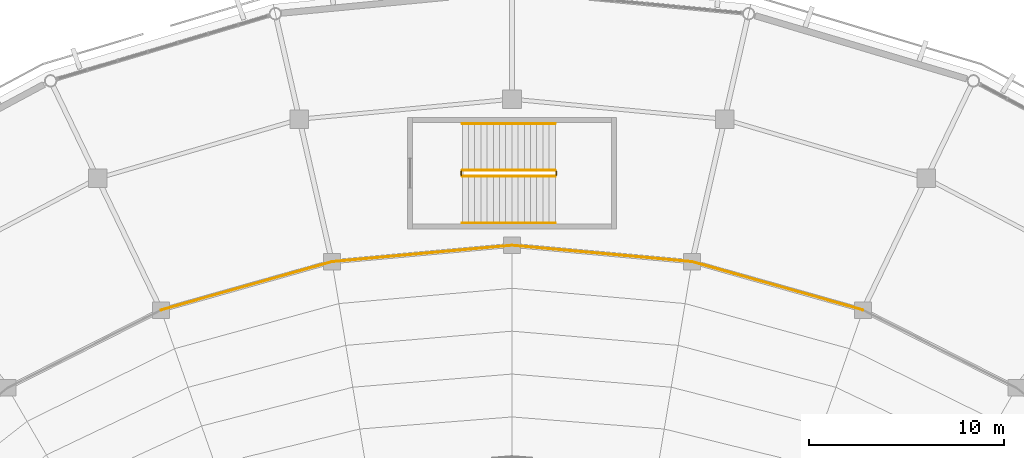
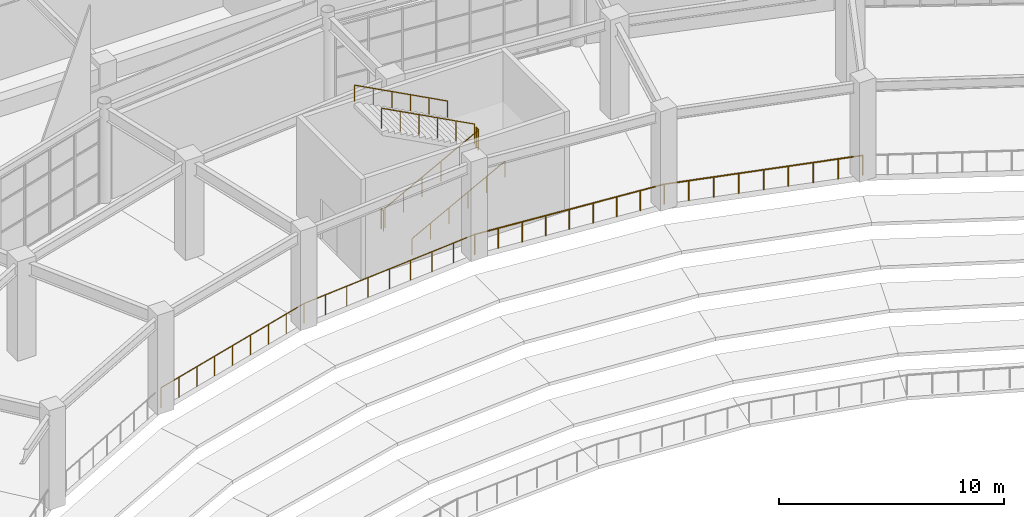
# One storey, part 109 of 120: 10 railings.
"""IFC4 building model written with IfcOpenShell, lengths in metres."""

from ifc_helpers import new_model, si_unit, direction, frame, origin, origin_2d, place, context, subcontext, project, spatial, circle, extrude, material, type_object, element, save


model = new_model("IFC4")

# Units and contexts
model_context = context("Model", 3, precision=1e-05, world=origin(), true_north=direction((0.0, 1.0)))
body_context = subcontext(model_context, "Body", "Model", "MODEL_VIEW")
ifc_project = project(units=[si_unit("LENGTHUNIT", "METRE"), si_unit("AREAUNIT", "SQUARE_METRE"), si_unit("VOLUMEUNIT", "CUBIC_METRE"), si_unit("PLANEANGLEUNIT", "RADIAN"), si_unit("MASSUNIT", "GRAM", prefix="KILO")], contexts=[model_context])

# Site, building, storey
site_placement = place(None, origin())
site = spatial("IfcSite", under=ifc_project, at=site_placement, CompositionType="ELEMENT")
building_placement = place(site_placement, origin())
building = spatial("IfcBuilding", under=site, at=building_placement, Name="Cuetzalor Civic Arena", CompositionType="ELEMENT")
storey_placement = place(building_placement, frame((0.0, 0.0, 6.0)))
storey = spatial("IfcBuildingStorey", under=building, at=storey_placement, Name="L01", CompositionType="ELEMENT", Elevation=6.0)

# Railings
ifc_material_1 = material(Name="Reseda-green Steel S355 and laminated glass guard", Category="steel")
railing_type_1 = type_object("IfcRailingType", Name="BowlSightlineGuard_1100", PredefinedType="BALUSTRADE", material=ifc_material_1)
railing_1_placement = place(storey_placement, frame((18.006103515625, 30.1826171875, 0.0)))
element("IfcRailing", 1, at=railing_1_placement, inside=storey, type_object=railing_type_1, Name="Lower Bowl Concourse Rim Balustrade S06", PredefinedType="BALUSTRADE", context=body_context, shape_type="SweptSolid", body=[
    extrude(circle(Radius=0.02392578125, at=origin_2d()), frame((0.0, 0.0, 1.076171875), z_axis=(-0.962348405043, 0.271818960543, 0.0), x_axis=(-0.271818960543, -0.962348405043, 0.0)), (0.0, 0.0, 1.0), 9.11474609375),
    extrude(circle(Radius=0.02099609375, at=origin_2d()), origin(), (0.0, 0.0, 1.0), 1.052001953125),
    extrude(circle(Radius=0.02099609375, at=origin_2d()), frame((-1.096435546875, 0.3095703125, 0.0)), (0.0, 0.0, 1.0), 1.052001953125),
    extrude(circle(Radius=0.02099609375, at=origin_2d()), frame((-2.19287109375, 0.619384765625, 0.0)), (0.0, 0.0, 1.0), 1.052001953125),
    extrude(circle(Radius=0.02099609375, at=origin_2d()), frame((-3.289306640625, 0.92919921875, 0.0)), (0.0, 0.0, 1.0), 1.052001953125),
    extrude(circle(Radius=0.02099609375, at=origin_2d()), frame((-4.3857421875, 1.23876953125, 0.0)), (0.0, 0.0, 1.0), 1.052001953125),
    extrude(circle(Radius=0.02099609375, at=origin_2d()), frame((-5.482177734375, 1.54833984375, 0.0)), (0.0, 0.0, 1.0), 1.052001953125),
    extrude(circle(Radius=0.02099609375, at=origin_2d()), frame((-6.57861328125, 1.858154296875, 0.0)), (0.0, 0.0, 1.0), 1.052001953125),
    extrude(circle(Radius=0.02099609375, at=origin_2d()), frame((-7.675048828125, 2.16796875, 0.0)), (0.0, 0.0, 1.0), 1.052001953125),
    extrude(circle(Radius=0.02099609375, at=origin_2d()), frame((-8.771484375, 2.4775390625, 0.0)), (0.0, 0.0, 1.0), 1.052001953125),
])
railing_2_placement = place(storey_placement, frame((9.234619140625, 32.66015625, 0.0)))
element("IfcRailing", 2, at=railing_2_placement, inside=storey, type_object=railing_type_1, Name="Lower Bowl Concourse Rim Balustrade S07", PredefinedType="BALUSTRADE", context=body_context, shape_type="SweptSolid", body=[
    extrude(circle(Radius=0.02392578125, at=origin_2d()), frame((0.0, 0.0, 1.076171875), z_axis=(-0.995889968673, 0.090571354719, 0.0), x_axis=(-0.090571354719, -0.995889968673, 0.0)), (0.0, 0.0, 1.0), 9.272705078125),
    extrude(circle(Radius=0.02099609375, at=origin_2d()), origin(), (0.0, 0.0, 1.0), 1.052001953125),
    extrude(circle(Radius=0.02099609375, at=origin_2d()), frame((-1.154296875, 0.10498046875, 0.0)), (0.0, 0.0, 1.0), 1.052001953125),
    extrude(circle(Radius=0.02099609375, at=origin_2d()), frame((-2.30859375, 0.2099609375, 0.0)), (0.0, 0.0, 1.0), 1.052001953125),
    extrude(circle(Radius=0.02099609375, at=origin_2d()), frame((-3.462890625, 0.31494140625, 0.0)), (0.0, 0.0, 1.0), 1.052001953125),
    extrude(circle(Radius=0.02099609375, at=origin_2d()), frame((-4.6171875, 0.419921875, 0.0)), (0.0, 0.0, 1.0), 1.052001953125),
    extrude(circle(Radius=0.02099609375, at=origin_2d()), frame((-5.771728515625, 0.52490234375, 0.0)), (0.0, 0.0, 1.0), 1.052001953125),
    extrude(circle(Radius=0.02099609375, at=origin_2d()), frame((-6.926025390625, 0.6298828125, 0.0)), (0.0, 0.0, 1.0), 1.052001953125),
    extrude(circle(Radius=0.02099609375, at=origin_2d()), frame((-8.080322265625, 0.73486328125, 0.0)), (0.0, 0.0, 1.0), 1.052001953125),
    extrude(circle(Radius=0.02099609375, at=origin_2d()), frame((-9.234619140625, 0.83984375, 0.0)), (0.0, 0.0, 1.0), 1.052001953125),
])
railing_3_placement = place(storey_placement, frame((0.0, 33.5, 0.0)))
element("IfcRailing", 3, at=railing_3_placement, inside=storey, type_object=railing_type_1, Name="Lower Bowl Concourse Rim Balustrade S08", PredefinedType="BALUSTRADE", context=body_context, shape_type="SweptSolid", body=[
    extrude(circle(Radius=0.02392578125, at=origin_2d()), frame((0.0, 0.0, 1.076171875), z_axis=(-0.995889968673, -0.090571354719, 0.0), x_axis=(0.090571354719, -0.995889968673, 0.0)), (0.0, 0.0, 1.0), 9.272705078125),
    extrude(circle(Radius=0.02099609375, at=origin_2d()), origin(), (0.0, 0.0, 1.0), 1.052001953125),
    extrude(circle(Radius=0.02099609375, at=origin_2d()), frame((-1.154296875, -0.10498046875, 0.0)), (0.0, 0.0, 1.0), 1.052001953125),
    extrude(circle(Radius=0.02099609375, at=origin_2d()), frame((-2.30859375, -0.2099609375, 0.0)), (0.0, 0.0, 1.0), 1.052001953125),
    extrude(circle(Radius=0.02099609375, at=origin_2d()), frame((-3.462890625, -0.31494140625, 0.0)), (0.0, 0.0, 1.0), 1.052001953125),
    extrude(circle(Radius=0.02099609375, at=origin_2d()), frame((-4.6171875, -0.419921875, 0.0)), (0.0, 0.0, 1.0), 1.052001953125),
    extrude(circle(Radius=0.02099609375, at=origin_2d()), frame((-5.771728515625, -0.52490234375, 0.0)), (0.0, 0.0, 1.0), 1.052001953125),
    extrude(circle(Radius=0.02099609375, at=origin_2d()), frame((-6.926025390625, -0.6298828125, 0.0)), (0.0, 0.0, 1.0), 1.052001953125),
    extrude(circle(Radius=0.02099609375, at=origin_2d()), frame((-8.080322265625, -0.73486328125, 0.0)), (0.0, 0.0, 1.0), 1.052001953125),
    extrude(circle(Radius=0.02099609375, at=origin_2d()), frame((-9.234619140625, -0.83984375, 0.0)), (0.0, 0.0, 1.0), 1.052001953125),
])
railing_4_placement = place(storey_placement, frame((-9.234619140625, 32.66015625, 0.0)))
element("IfcRailing", 4, at=railing_4_placement, inside=storey, type_object=railing_type_1, Name="Lower Bowl Concourse Rim Balustrade S09", PredefinedType="BALUSTRADE", context=body_context, shape_type="SweptSolid", body=[
    extrude(circle(Radius=0.02392578125, at=origin_2d()), frame((0.0, 0.0, 1.076171875), z_axis=(-0.962348405043, -0.271818960543, 0.0), x_axis=(0.271818960543, -0.962348405043, 0.0)), (0.0, 0.0, 1.0), 9.11474609375),
    extrude(circle(Radius=0.02099609375, at=origin_2d()), origin(), (0.0, 0.0, 1.0), 1.052001953125),
    extrude(circle(Radius=0.02099609375, at=origin_2d()), frame((-1.096435546875, -0.3095703125, 0.0)), (0.0, 0.0, 1.0), 1.052001953125),
    extrude(circle(Radius=0.02099609375, at=origin_2d()), frame((-2.19287109375, -0.619384765625, 0.0)), (0.0, 0.0, 1.0), 1.052001953125),
    extrude(circle(Radius=0.02099609375, at=origin_2d()), frame((-3.289306640625, -0.92919921875, 0.0)), (0.0, 0.0, 1.0), 1.052001953125),
    extrude(circle(Radius=0.02099609375, at=origin_2d()), frame((-4.3857421875, -1.23876953125, 0.0)), (0.0, 0.0, 1.0), 1.052001953125),
    extrude(circle(Radius=0.02099609375, at=origin_2d()), frame((-5.482177734375, -1.54833984375, 0.0)), (0.0, 0.0, 1.0), 1.052001953125),
    extrude(circle(Radius=0.02099609375, at=origin_2d()), frame((-6.57861328125, -1.858154296875, 0.0)), (0.0, 0.0, 1.0), 1.052001953125),
    extrude(circle(Radius=0.02099609375, at=origin_2d()), frame((-7.675048828125, -2.16796875, 0.0)), (0.0, 0.0, 1.0), 1.052001953125),
    extrude(circle(Radius=0.02099609375, at=origin_2d()), frame((-8.771484375, -2.4775390625, 0.0)), (0.0, 0.0, 1.0), 1.052001953125),
])
ifc_material_2 = material(Name="Reseda-green architectural Steel S355 balustrade", Category="steel")
railing_type_2 = type_object("IfcRailingType", Name="InteriorVoidBalustrade_1100", PredefinedType="BALUSTRADE", material=ifc_material_2)
railing_5_placement = place(storey_placement, frame((-2.550048828125, 37.050048828125, 0.168701171875)))
element("IfcRailing", 5, at=railing_5_placement, inside=storey, type_object=railing_type_2, Name="L01 ST-03 stair guard 1", PredefinedType="BALUSTRADE", context=body_context, shape_type="SweptSolid", body=[
    extrude(circle(Radius=0.02392578125, at=origin_2d()), frame((0.0, 0.0, 1.0810546875), z_axis=(0.883332211103, 0.0, 0.468747485143), x_axis=(0.0, 1.0, 0.0)), (0.0, 0.0, 1.0), 5.400146484375),
    extrude(circle(Radius=0.02099609375, at=origin_2d()), origin(), (0.0, 0.0, 1.0), 1.056884765625),
    extrude(circle(Radius=0.02099609375, at=origin_2d()), frame((0.9541015625, 0.0, 0.50634765625)), (0.0, 0.0, 1.0), 1.056884765625),
    extrude(circle(Radius=0.02099609375, at=origin_2d()), frame((1.907958984375, 0.0, 1.012451171875)), (0.0, 0.0, 1.0), 1.056884765625),
    extrude(circle(Radius=0.02099609375, at=origin_2d()), frame((2.862060546875, 0.0, 1.518798828125)), (0.0, 0.0, 1.0), 1.056884765625),
    extrude(circle(Radius=0.02099609375, at=origin_2d()), frame((3.81591796875, 0.0, 2.02490234375)), (0.0, 0.0, 1.0), 1.056884765625),
    extrude(circle(Radius=0.02099609375, at=origin_2d()), frame((4.77001953125, 0.0, 2.53125)), (0.0, 0.0, 1.0), 1.056884765625),
])
railing_6_placement = place(storey_placement, frame((2.27001953125, 37.10009765625, 2.699951171875)))
element("IfcRailing", 6, at=railing_6_placement, inside=storey, type_object=railing_type_2, Name="L01 ST-03 stair guard 2", PredefinedType="BALUSTRADE", context=body_context, shape_type="SweptSolid", body=[
    extrude(circle(Radius=0.02392578125, at=origin_2d()), frame((0.0, 0.0, 1.0810546875), z_axis=(0.0, 1.0, 0.0), x_axis=(-1.0, 0.0, 0.0)), (0.0, 0.0, 1.0), 0.199951171875),
    extrude(circle(Radius=0.02099609375, at=origin_2d()), origin(), (0.0, 0.0, 1.0), 1.056884765625),
    extrude(circle(Radius=0.02099609375, at=origin_2d()), frame((0.0, 0.199951171875, 0.0)), (0.0, 0.0, 1.0), 1.056884765625),
])
railing_7_placement = place(storey_placement, frame((2.219970703125, 37.35009765625, 2.86865234375)))
element("IfcRailing", 7, at=railing_7_placement, inside=storey, type_object=railing_type_2, Name="L01 ST-03 stair guard 3", PredefinedType="BALUSTRADE", context=body_context, shape_type="SweptSolid", body=[
    extrude(circle(Radius=0.02392578125, at=origin_2d()), frame((0.0, 0.0, 1.0810546875), z_axis=(-0.883332211103, 0.0, 0.468747485143), x_axis=(0.0, -1.0, 0.0)), (0.0, 0.0, 1.0), 5.400146484375),
    extrude(circle(Radius=0.02099609375, at=origin_2d()), origin(), (0.0, 0.0, 1.0), 1.056884765625),
    extrude(circle(Radius=0.02099609375, at=origin_2d()), frame((-0.9541015625, 0.0, 0.50634765625)), (0.0, 0.0, 1.0), 1.056884765625),
    extrude(circle(Radius=0.02099609375, at=origin_2d()), frame((-1.907958984375, 0.0, 1.012451171875)), (0.0, 0.0, 1.0), 1.056884765625),
    extrude(circle(Radius=0.02099609375, at=origin_2d()), frame((-2.862060546875, 0.0, 1.518798828125)), (0.0, 0.0, 1.0), 1.056884765625),
    extrude(circle(Radius=0.02099609375, at=origin_2d()), frame((-3.81591796875, 0.0, 2.02490234375)), (0.0, 0.0, 1.0), 1.056884765625),
    extrude(circle(Radius=0.02099609375, at=origin_2d()), frame((-4.77001953125, 0.0, 2.53125)), (0.0, 0.0, 1.0), 1.056884765625),
])
railing_8_placement = place(storey_placement, frame((-2.60009765625, 37.10009765625, 0.0)))
element("IfcRailing", 8, at=railing_8_placement, inside=storey, type_object=railing_type_2, Name="L01 ST-03 stair guard 4", PredefinedType="BALUSTRADE", context=body_context, shape_type="SweptSolid", body=[
    extrude(circle(Radius=0.02392578125, at=origin_2d()), frame((0.0, 0.0, 1.0810546875), z_axis=(0.0, 1.0, 0.0), x_axis=(-1.0, 0.0, 0.0)), (0.0, 0.0, 1.0), 0.199951171875),
    extrude(circle(Radius=0.02099609375, at=origin_2d()), origin(), (0.0, 0.0, 1.0), 1.056884765625),
    extrude(circle(Radius=0.02099609375, at=origin_2d()), frame((0.0, 0.199951171875, 0.0)), (0.0, 0.0, 1.0), 1.056884765625),
])
ifc_material_3 = material(Name="Galvanised steel S355", Category="steel")
railing_type_3 = type_object("IfcRailingType", Name="StairPitchHandrail_900", PredefinedType="HANDRAIL", material=ifc_material_3)
railing_9_placement = place(storey_placement, frame((-2.550048828125, 34.64990234375, 0.168701171875)))
element("IfcRailing", 9, at=railing_9_placement, inside=storey, type_object=railing_type_3, Name="L01 ST-03 stair handrail 1", PredefinedType="HANDRAIL", context=body_context, shape_type="SweptSolid", body=[
    extrude(circle(Radius=0.02392578125, at=origin_2d()), frame((0.0, 0.0, 0.8759765625), z_axis=(0.883332211103, 0.0, 0.468747485143), x_axis=(0.0, 1.0, 0.0)), (0.0, 0.0, 1.0), 5.400146484375),
    extrude(circle(Radius=0.02099609375, at=origin_2d()), origin(), (0.0, 0.0, 1.0), 0.851806640625),
    extrude(circle(Radius=0.02099609375, at=origin_2d()), frame((0.9541015625, 0.0, 0.50634765625)), (0.0, 0.0, 1.0), 0.851806640625),
    extrude(circle(Radius=0.02099609375, at=origin_2d()), frame((1.907958984375, 0.0, 1.012451171875)), (0.0, 0.0, 1.0), 0.851806640625),
    extrude(circle(Radius=0.02099609375, at=origin_2d()), frame((2.862060546875, 0.0, 1.518798828125)), (0.0, 0.0, 1.0), 0.851806640625),
    extrude(circle(Radius=0.02099609375, at=origin_2d()), frame((3.81591796875, 0.0, 2.02490234375)), (0.0, 0.0, 1.0), 0.851806640625),
    extrude(circle(Radius=0.02099609375, at=origin_2d()), frame((4.77001953125, 0.0, 2.53125)), (0.0, 0.0, 1.0), 0.851806640625),
])
railing_10_placement = place(storey_placement, frame((2.219970703125, 39.75, 2.86865234375)))
element("IfcRailing", 10, at=railing_10_placement, inside=storey, type_object=railing_type_3, Name="L01 ST-03 stair handrail 2", PredefinedType="HANDRAIL", context=body_context, shape_type="SweptSolid", body=[
    extrude(circle(Radius=0.02392578125, at=origin_2d()), frame((0.0, 0.0, 0.8759765625), z_axis=(-0.883332211103, 0.0, 0.468747485143), x_axis=(0.0, -1.0, 0.0)), (0.0, 0.0, 1.0), 5.400146484375),
    extrude(circle(Radius=0.02099609375, at=origin_2d()), origin(), (0.0, 0.0, 1.0), 0.851806640625),
    extrude(circle(Radius=0.02099609375, at=origin_2d()), frame((-0.9541015625, 0.0, 0.50634765625)), (0.0, 0.0, 1.0), 0.851806640625),
    extrude(circle(Radius=0.02099609375, at=origin_2d()), frame((-1.907958984375, 0.0, 1.012451171875)), (0.0, 0.0, 1.0), 0.851806640625),
    extrude(circle(Radius=0.02099609375, at=origin_2d()), frame((-2.862060546875, 0.0, 1.518798828125)), (0.0, 0.0, 1.0), 0.851806640625),
    extrude(circle(Radius=0.02099609375, at=origin_2d()), frame((-3.81591796875, 0.0, 2.02490234375)), (0.0, 0.0, 1.0), 0.851806640625),
    extrude(circle(Radius=0.02099609375, at=origin_2d()), frame((-4.77001953125, 0.0, 2.53125)), (0.0, 0.0, 1.0), 0.851806640625),
])

save(model, "model.ifc")
